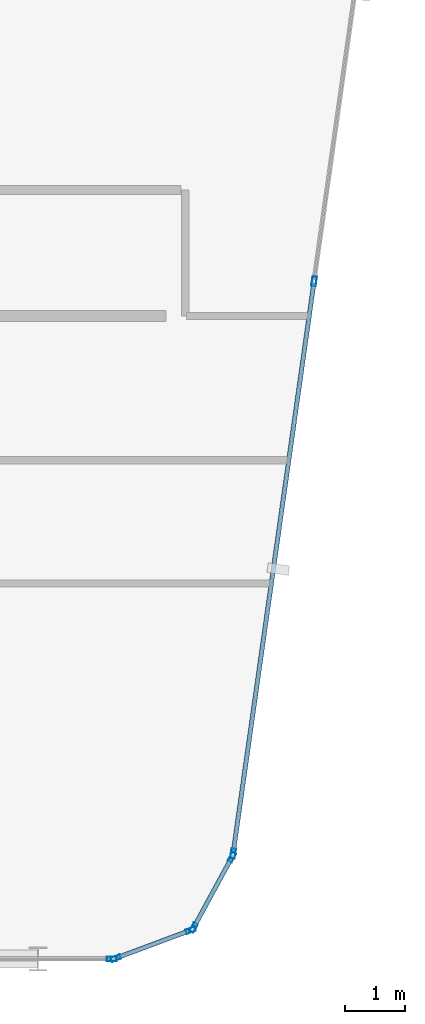
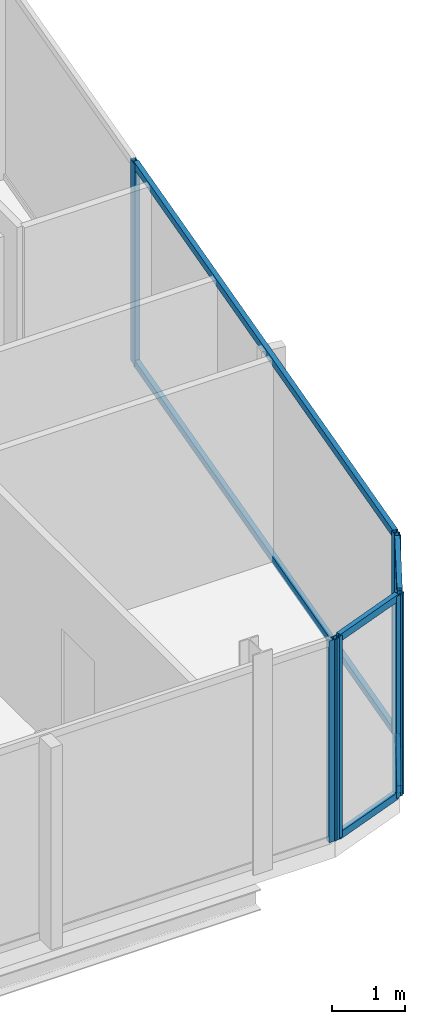
# One storey, part 12 of 28: 13 members, 4 elements without a shape of their own.
"""IFC4 building model written with IfcOpenShell, lengths in metres."""

from ifc_helpers import new_model, si_unit, direction, frame, origin, origin_2d, place, context, subcontext, project, spatial, hollow_rectangle, extrude, material, layer, layer_set, material_profile, profile_set, type_object, element, aggregate, save


model = new_model("IFC4")

# Units and contexts
model_context = context("Model", 3, precision=1e-05, world=origin(), true_north=direction((0.0, 1.0)))
body_context = subcontext(model_context, "Body", "Model", "MODEL_VIEW")
ifc_project = project(units=[si_unit("LENGTHUNIT", "METRE"), si_unit("AREAUNIT", "SQUARE_METRE"), si_unit("VOLUMEUNIT", "CUBIC_METRE"), si_unit("PLANEANGLEUNIT", "RADIAN"), si_unit("MASSUNIT", "GRAM", prefix="KILO")], contexts=[model_context])

# Site, building, storey
site_placement = place(None, origin())
site = spatial("IfcSite", under=ifc_project, at=site_placement, CompositionType="ELEMENT")
building_placement = place(site_placement, origin())
building = spatial("IfcBuilding", under=site, at=building_placement, Name="Keshet Zoharim Tower", CompositionType="ELEMENT")
storey_placement = place(building_placement, frame((0.0, 0.0, 265.800048828125)))
storey = spatial("IfcBuildingStorey", under=building, at=storey_placement, Name="L66", CompositionType="ELEMENT", Elevation=265.800048828125)

# Curtain wall, members
ifc_material = material(Name="Aluminium 6063-T6", Category="aluminium")
ifc_layer = layer(ifc_material, 0.260009765625)
ifc_layer_set = layer_set([ifc_layer], Name="Aluminium 6063-T6")
curtain_wall_type = type_object("IfcCurtainWallType", Name="CW-SYS-06", PredefinedType="NOTDEFINED", material=ifc_layer_set)
curtain_wall_1_placement = place(storey_placement, origin())
curtain_wall_1 = element("IfcCurtainWall", 1, at=curtain_wall_1_placement, inside=storey, type_object=curtain_wall_type, Name="L66 Unitised Curtain Wall 11", PredefinedType="NOTDEFINED")
ifc_material_profile_1 = material_profile(ifc_material, hollow_rectangle(XDim=0.074951171875, YDim=0.159912109375, WallThickness=0.00390625, at=origin_2d()), Name="MUL-75x160")
ifc_profile_set_1 = profile_set([ifc_material_profile_1], Name="Aluminium 6063-T6")
member_type_1 = type_object("IfcMemberType", Name="CWM-M15", PredefinedType="MULLION", material=ifc_profile_set_1)
member_1_placement = place(storey_placement, frame((43.595458984375, 17.97607421875, 0.0), z_axis=(0.0, 0.0, 1.0), x_axis=(0.990132057422, -0.140137464177, 0.0)))
member_1 = element("IfcMember", 2, at=member_1_placement, type_object=member_type_1, Name="CW-06 mullion 2", PredefinedType="MULLION", context=body_context, shape_type="SweptSolid", body=[
    extrude(hollow_rectangle(XDim=0.074951171875, YDim=0.159912109375, WallThickness=0.00390625, at=origin_2d()), origin(), (0.0, 0.0, 1.0), 3.389892578125),
])
member_2_placement = place(storey_placement, frame((42.247802734375, 8.45458984375, 0.0), z_axis=(0.0, 0.0, 1.0), x_axis=(0.990132057422, -0.140137464177, 0.0)))
member_2 = element("IfcMember", 3, at=member_2_placement, type_object=member_type_1, Name="CW-06 mullion 3", PredefinedType="MULLION", context=body_context, shape_type="SweptSolid", body=[
    extrude(hollow_rectangle(XDim=0.074951171875, YDim=0.159912109375, WallThickness=0.00390625, at=origin_2d()), origin(), (0.0, 0.0, 1.0), 3.389892578125),
])

curtain_wall_2_placement = place(storey_placement, origin())
curtain_wall_2 = element("IfcCurtainWall", 4, at=curtain_wall_2_placement, inside=storey, type_object=curtain_wall_type, Name="L66 Unitised Curtain Wall 12", PredefinedType="NOTDEFINED")
member_3_placement = place(storey_placement, frame((42.226318359375, 8.38916015625, 0.0), z_axis=(0.0, 0.0, 1.0), x_axis=(0.878468125004, -0.477800955789, 0.0)))
member_3 = element("IfcMember", 5, at=member_3_placement, type_object=member_type_1, Name="CW-06 mullion 1", PredefinedType="MULLION", context=body_context, shape_type="SweptSolid", body=[
    extrude(hollow_rectangle(XDim=0.074951171875, YDim=0.159912109375, WallThickness=0.00390625, at=origin_2d()), origin(), (0.0, 0.0, 1.0), 3.389892578125),
])
member_4_placement = place(storey_placement, frame((41.5908203125, 7.220703125, 0.0), z_axis=(0.0, 0.0, 1.0), x_axis=(0.878468125004, -0.477800955789, 0.0)))
member_4 = element("IfcMember", 6, at=member_4_placement, type_object=member_type_1, Name="CW-06 mullion 2", PredefinedType="MULLION", context=body_context, shape_type="SweptSolid", body=[
    extrude(hollow_rectangle(XDim=0.074951171875, YDim=0.159912109375, WallThickness=0.00390625, at=origin_2d()), origin(), (0.0, 0.0, 1.0), 3.389892578125),
])

curtain_wall_3_placement = place(storey_placement, origin())
curtain_wall_3 = element("IfcCurtainWall", 7, at=curtain_wall_3_placement, inside=storey, type_object=curtain_wall_type, Name="L66 Unitised Curtain Wall 13", PredefinedType="NOTDEFINED")
member_5_placement = place(storey_placement, frame((41.541259765625, 7.177734375, 0.0), z_axis=(0.0, 0.0, 1.0), x_axis=(0.350105315376, -0.936710343781, 0.0)))
member_5 = element("IfcMember", 8, at=member_5_placement, type_object=member_type_1, Name="CW-06 mullion 1", PredefinedType="MULLION", context=body_context, shape_type="SweptSolid", body=[
    extrude(hollow_rectangle(XDim=0.074951171875, YDim=0.159912109375, WallThickness=0.00390625, at=origin_2d()), origin(), (0.0, 0.0, 1.0), 3.389892578125),
])
member_6_placement = place(storey_placement, frame((40.2958984375, 6.712158203125, 0.0), z_axis=(0.0, 0.0, 1.0), x_axis=(0.350105315376, -0.936710343781, 0.0)))
member_6 = element("IfcMember", 9, at=member_6_placement, type_object=member_type_1, Name="CW-06 mullion 2", PredefinedType="MULLION", context=body_context, shape_type="SweptSolid", body=[
    extrude(hollow_rectangle(XDim=0.074951171875, YDim=0.159912109375, WallThickness=0.00390625, at=origin_2d()), origin(), (0.0, 0.0, 1.0), 3.389892578125),
])

# Curtain wall, member
curtain_wall_4_placement = place(storey_placement, origin())
curtain_wall_4 = element("IfcCurtainWall", 10, at=curtain_wall_4_placement, inside=storey, type_object=curtain_wall_type, Name="L66 Unitised Curtain Wall 14", PredefinedType="NOTDEFINED")
member_7_placement = place(storey_placement, frame((40.22802734375, 6.699951171875, 0.0), z_axis=(0.0, 0.0, 1.0), x_axis=(0.0, -1.0, 0.0)))
member_7 = element("IfcMember", 11, at=member_7_placement, type_object=member_type_1, Name="CW-06 mullion 1", PredefinedType="MULLION", context=body_context, shape_type="SweptSolid", body=[
    extrude(hollow_rectangle(XDim=0.074951171875, YDim=0.159912109375, WallThickness=0.00390625, at=origin_2d()), origin(), (0.0, 0.0, 1.0), 3.389892578125),
])
aggregate(curtain_wall_4, [member_7])

# Member
ifc_material_profile_2 = material_profile(ifc_material, hollow_rectangle(XDim=0.074951171875, YDim=0.1201171875, WallThickness=0.00390625, at=origin_2d()), Name="TRN-75x120")
ifc_profile_set_2 = profile_set([ifc_material_profile_2], Name="Aluminium 6063-T6")
member_type_2 = type_object("IfcMemberType", Name="CWT-T12", PredefinedType="USERDEFINED", material=ifc_profile_set_2)
member_8_placement = place(storey_placement, frame((43.590576171875, 17.94140625, 0.034912109375), z_axis=(-0.14012154881, -0.990134309859, 0.0), x_axis=(0.990134309859, -0.14012154881, 0.0)))
member_8 = element("IfcMember", 12, at=member_8_placement, type_object=member_type_2, Name="CW-06 transom 2.1", ObjectType="TRANSOM", PredefinedType="USERDEFINED", context=body_context, shape_type="SweptSolid", body=[
    extrude(hollow_rectangle(XDim=0.074951171875, YDim=0.1201171875, WallThickness=0.00390625, at=origin_2d()), origin(), (0.0, 0.0, 1.0), 9.54638671875),
])

member_9_placement = place(storey_placement, frame((43.590576171875, 17.94140625, 3.35498046875), z_axis=(-0.14012154881, -0.990134309859, 0.0), x_axis=(0.990134309859, -0.14012154881, 0.0)))
member_9 = element("IfcMember", 13, at=member_9_placement, type_object=member_type_2, Name="CW-06 transom 2.2", ObjectType="TRANSOM", PredefinedType="USERDEFINED", context=body_context, shape_type="SweptSolid", body=[
    extrude(hollow_rectangle(XDim=0.074951171875, YDim=0.1201171875, WallThickness=0.00390625, at=origin_2d()), origin(), (0.0, 0.0, 1.0), 9.54638671875),
])

aggregate(curtain_wall_1, [member_1, member_2, member_8, member_9])

member_10_placement = place(storey_placement, frame((42.20947265625, 8.3583984375, 0.034912109375), z_axis=(-0.47779293276, -0.878472488701, 0.0), x_axis=(0.878472488701, -0.47779293276, 0.0)))
member_10 = element("IfcMember", 14, at=member_10_placement, type_object=member_type_2, Name="CW-06 transom 1.1", ObjectType="TRANSOM", PredefinedType="USERDEFINED", context=body_context, shape_type="SweptSolid", body=[
    extrude(hollow_rectangle(XDim=0.074951171875, YDim=0.1201171875, WallThickness=0.00390625, at=origin_2d()), origin(), (0.0, 0.0, 1.0), 1.260009765625),
])

member_11_placement = place(storey_placement, frame((42.20947265625, 8.3583984375, 3.35498046875), z_axis=(-0.47779293276, -0.878472488701, 0.0), x_axis=(0.878472488701, -0.47779293276, 0.0)))
member_11 = element("IfcMember", 15, at=member_11_placement, type_object=member_type_2, Name="CW-06 transom 1.2", ObjectType="TRANSOM", PredefinedType="USERDEFINED", context=body_context, shape_type="SweptSolid", body=[
    extrude(hollow_rectangle(XDim=0.074951171875, YDim=0.1201171875, WallThickness=0.00390625, at=origin_2d()), origin(), (0.0, 0.0, 1.0), 1.260009765625),
])

aggregate(curtain_wall_2, [member_3, member_4, member_10, member_11])

member_12_placement = place(storey_placement, frame((41.508544921875, 7.16552734375, 0.034912109375), z_axis=(-0.93673477759, -0.350039935512, 0.0), x_axis=(0.350039935512, -0.93673477759, 0.0)))
member_12 = element("IfcMember", 16, at=member_12_placement, type_object=member_type_2, Name="CW-06 transom 1.1", ObjectType="TRANSOM", PredefinedType="USERDEFINED", context=body_context, shape_type="SweptSolid", body=[
    extrude(hollow_rectangle(XDim=0.074951171875, YDim=0.1201171875, WallThickness=0.00390625, at=origin_2d()), origin(), (0.0, 0.0, 1.0), 1.259521484375),
])

member_13_placement = place(storey_placement, frame((41.508544921875, 7.16552734375, 3.35498046875), z_axis=(-0.93673477759, -0.350039935512, 0.0), x_axis=(0.350039935512, -0.93673477759, 0.0)))
member_13 = element("IfcMember", 17, at=member_13_placement, type_object=member_type_2, Name="CW-06 transom 1.2", ObjectType="TRANSOM", PredefinedType="USERDEFINED", context=body_context, shape_type="SweptSolid", body=[
    extrude(hollow_rectangle(XDim=0.074951171875, YDim=0.1201171875, WallThickness=0.00390625, at=origin_2d()), origin(), (0.0, 0.0, 1.0), 1.259521484375),
])

aggregate(curtain_wall_3, [member_5, member_6, member_12, member_13])

save(model, "model.ifc")
